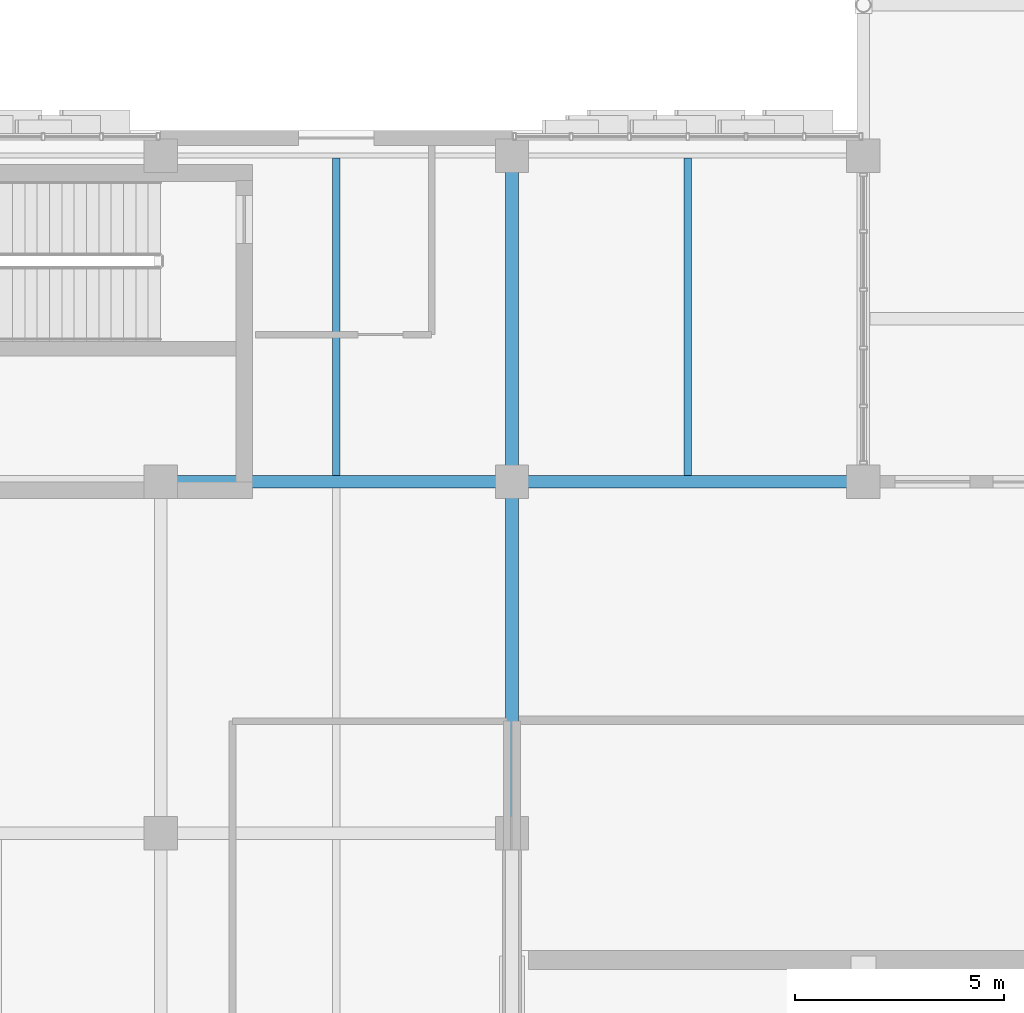
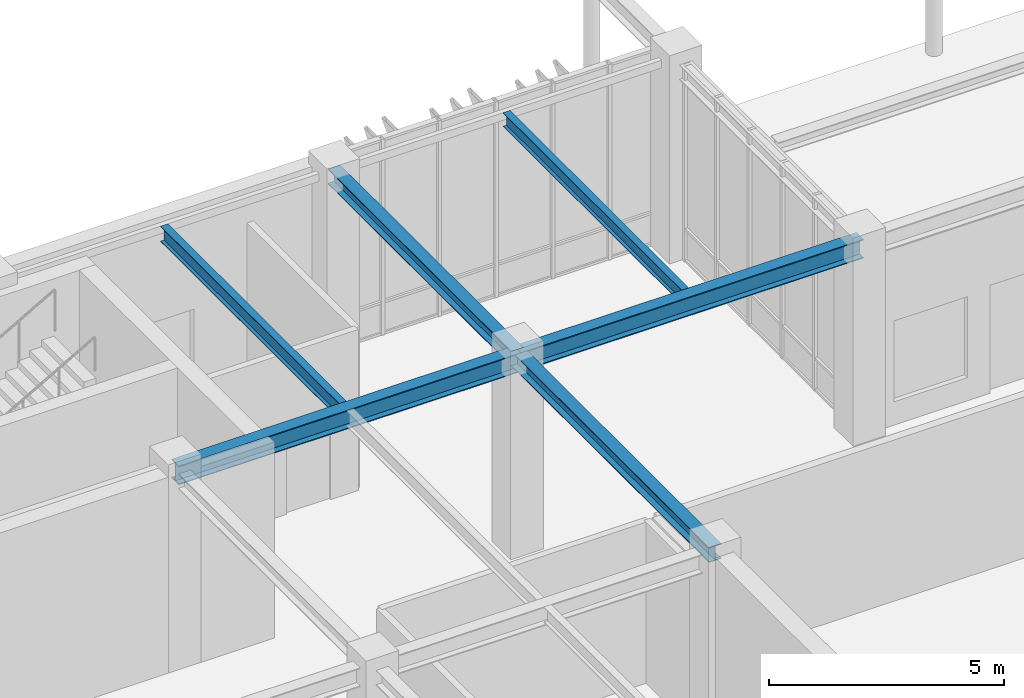
# One storey, part 42 of 122: 6 beams.
"""IFC4 building model written with IfcOpenShell, lengths in metres."""

import ifcopenshell
import ifcopenshell.guid

model = None  # the IFC model being written
_history = None  # IfcOwnerHistory: only IFC2X3 demands one
_inside = {}  # id of a spatial element -> (the spatial element, [elements in it])
_under = {}  # id of a project, library or spatial element -> (it, [spatial elements below it])
_declared = {}  # id of a project -> (the project, [libraries it declares])
_typed = {}  # id of a type object -> (the type object, [elements of that type])
_made_of = {}  # id of a material, layer set ... -> (it, [elements and type objects made of it])


def new_model(schema):
    """Start an empty IFC model of exactly this schema.

    Asked for "IFC4X3", IfcOpenShell would pick the latest addendum, in which some entities
    have other attributes; the version numbers below select the first issue.
    IFC2X3 requires an IfcOwnerHistory on every rooted entity: one is made here for all.
    """
    global model, _history
    if schema == "IFC4X3":
        model = ifcopenshell.file(schema_version=(4, 3, 0, 0))
    else:
        model = ifcopenshell.file(schema=schema)
    _inside.clear()
    _under.clear()
    _declared.clear()
    _typed.clear()
    _made_of.clear()
    _history = None
    if model.schema == "IFC2X3":
        org = make("IfcOrganization", Name="unknown")
        user = make(
            "IfcPersonAndOrganization",
            ThePerson=make("IfcPerson", FamilyName="unknown"),
            TheOrganization=org,
        )
        app = make(
            "IfcApplication",
            ApplicationDeveloper=org,
            Version="unknown",
            ApplicationFullName="unknown",
            ApplicationIdentifier="unknown",
        )
        _history = make(
            "IfcOwnerHistory",
            OwningUser=user,
            OwningApplication=app,
            ChangeAction="ADDED",
            CreationDate=0,
        )
    return model


def make(cls, **values):
    """One entity of the class cls with the attributes given. An attribute that is None is left unset."""
    return model.create_entity(
        cls, **{name: value for name, value in values.items() if value is not None}
    )


def rooted(cls, **values):
    """An entity with a GlobalId (a new one), such as an element, a storey or a relation."""
    return make(cls, GlobalId=ifcopenshell.guid.new(), OwnerHistory=_history, **values)


def si_unit(unit_type, name, prefix=None):
    """IfcSIUnit, for example si_unit("LENGTHUNIT", "METRE", prefix="MILLI")."""
    return make("IfcSIUnit", UnitType=unit_type, Prefix=prefix, Name=name)


def assignment(units):
    """IfcUnitAssignment: the units of a project."""
    return None if units is None else make("IfcUnitAssignment", Units=units)


def point(xyz):
    """IfcCartesianPoint."""
    return None if xyz is None else make("IfcCartesianPoint", Coordinates=xyz)


def direction(xyz):
    """IfcDirection."""
    return None if xyz is None else make("IfcDirection", DirectionRatios=xyz)


def frame(location, z_axis=None, x_axis=None):
    """IfcAxis2Placement3D, a coordinate frame: its origin and axes. An axis left out is left unset."""
    return make(
        "IfcAxis2Placement3D",
        Location=point(location),
        Axis=direction(z_axis),
        RefDirection=direction(x_axis),
    )


def frame_2d(location, x_axis=None):
    """IfcAxis2Placement2D, a coordinate frame in the plane: its origin and x axis."""
    return make(
        "IfcAxis2Placement2D", Location=point(location), RefDirection=direction(x_axis)
    )


def origin():
    """The frame at (0, 0, 0) with its axes left unset."""
    return frame((0.0, 0.0, 0.0))


def origin_2d():
    """The frame at (0, 0) in the plane with its x axis left unset."""
    return frame_2d((0.0, 0.0))


def place(relative_to, where):
    """IfcLocalPlacement: puts the frame where relative to a parent placement (None: the world)."""
    return make(
        "IfcLocalPlacement", PlacementRelTo=relative_to, RelativePlacement=where
    )


def context(
    kind, dimensions, precision=None, world=None, true_north=None, identifier=None
):
    """IfcGeometricRepresentationContext, for example the 3D "Model" context."""
    return make(
        "IfcGeometricRepresentationContext",
        ContextIdentifier=identifier,
        ContextType=kind,
        CoordinateSpaceDimension=dimensions,
        Precision=precision,
        WorldCoordinateSystem=world,
        TrueNorth=true_north,
    )


def subcontext(parent, identifier, kind, view, scale=None):
    """IfcGeometricRepresentationSubContext, for example "Body" below "Model"."""
    return make(
        "IfcGeometricRepresentationSubContext",
        ContextIdentifier=identifier,
        ContextType=kind,
        ParentContext=parent,
        TargetScale=scale,
        TargetView=view,
    )


def project(units=None, contexts=None):
    """IfcProject with its units and contexts."""
    return rooted(
        "IfcProject",
        Name="project",
        RepresentationContexts=contexts,
        UnitsInContext=assignment(units),
    )


def spatial(cls, under=None, at=None, **own):
    """A site, building, storey or space (cls), placed at a placement, below another one or the project."""
    s = rooted(cls, ObjectPlacement=at, **own)
    if under is not None:
        _under.setdefault(under.id(), (under, []))[1].append(s)
    return s


def profile(cls, at=None, kind="AREA", **sizes):
    """A parametric profile (cls). Its sizes go by their IFC names, for example OverallWidth=200.0."""
    return make(cls, ProfileType=kind, Position=at, **sizes)


def i_section(**sizes):
    """IfcIShapeProfileDef."""
    return profile("IfcIShapeProfileDef", **sizes)


def extrude(swept, where, along, depth):
    """IfcExtrudedAreaSolid: the profile swept, set in the frame where, extruded along a direction by depth."""
    return make(
        "IfcExtrudedAreaSolid",
        SweptArea=swept,
        Position=where,
        ExtrudedDirection=direction(along),
        Depth=depth,
    )


def shape(context_of_items, identifier, shape_type, items):
    """IfcShapeRepresentation: the items that make up one representation, for example the "Body"."""
    return make(
        "IfcShapeRepresentation",
        ContextOfItems=context_of_items,
        RepresentationIdentifier=identifier,
        RepresentationType=shape_type,
        Items=items,
    )


def material(Name=None, Category=None):
    """IfcMaterial."""
    return make("IfcMaterial", Name=Name, Category=Category)


def material_profile(
    of_material, cross_section, Name=None, Category=None, Priority=None
):
    """IfcMaterialProfile: a cross section and its material."""
    return make(
        "IfcMaterialProfile",
        Name=Name,
        Material=of_material,
        Profile=cross_section,
        Priority=Priority,
        Category=Category,
    )


def profile_set(profiles, Name=None, composite=None):
    """IfcMaterialProfileSet."""
    return make(
        "IfcMaterialProfileSet",
        Name=Name,
        MaterialProfiles=profiles,
        CompositeProfile=composite,
    )


def made_of(thing, what):
    """Note that an element or type object is made of a material, layer set ...; save() writes the relation."""
    if what is not None:
        _made_of.setdefault(what.id(), (what, []))[1].append(thing)
    return thing


def type_object(cls, material=None, **own):
    """A type object (cls), such as IfcWallType, which elements share."""
    return made_of(rooted(cls, **own), material)


def element(
    cls,
    number,
    at=None,
    inside=None,
    cuts=None,
    type_object=None,
    material=None,
    context=None,
    identifier="Body",
    shape_type=None,
    held_by="IfcProductDefinitionShape",
    body=None,
    shapes=None,
    **own,
):
    """One element of the class cls, such as IfcWall. Its Tag is "e" and its number.

    at: its placement. inside: the storey or other place that contains it. cuts: it is an
    opening in that element (IfcRelVoidsElement). A single representation is given by context,
    identifier, shape_type and body (its items); several are given by shapes. held_by: the class
    of the entity that holds the representations. save() writes the other relations.
    """
    e = rooted(cls, Tag="e%d" % number, ObjectPlacement=at, **own)
    if body is not None:
        shapes = [shape(context, identifier, shape_type, body)]
    if shapes is not None:
        e.Representation = make(held_by, Representations=shapes)
    if inside is not None:
        _inside.setdefault(inside.id(), (inside, []))[1].append(e)
    if cuts is not None:
        rooted(
            "IfcRelVoidsElement", RelatingBuildingElement=cuts, RelatedOpeningElement=e
        )
    if type_object is not None:
        _typed.setdefault(type_object.id(), (type_object, []))[1].append(e)
    return made_of(e, material)


def aggregate(whole, parts):
    """IfcRelAggregates: a whole, such as a stair, and the parts it consists of."""
    return rooted("IfcRelAggregates", RelatingObject=whole, RelatedObjects=parts)


def save(model, path):
    """Write the relations noted so far, then the file.

    IfcRelAggregates (storeys below a building ...), IfcRelContainedInSpatialStructure (elements
    in a storey), IfcRelDefinesByType, IfcRelAssociatesMaterial and IfcRelDeclares: one each for
    every whole, place, type object, material and project.
    """
    for whole, parts in _under.values():
        aggregate(whole, parts)
    for where, things in _inside.values():
        rooted(
            "IfcRelContainedInSpatialStructure",
            RelatedElements=things,
            RelatingStructure=where,
        )
    for kind, things in _typed.values():
        rooted("IfcRelDefinesByType", RelatedObjects=things, RelatingType=kind)
    for what, things in _made_of.values():
        rooted("IfcRelAssociatesMaterial", RelatedObjects=things, RelatingMaterial=what)
    for by, libraries in _declared.values():
        rooted("IfcRelDeclares", RelatingContext=by, RelatedDefinitions=libraries)
    model.write(path)


model = new_model("IFC4")

# Units and contexts
model_context = context("Model", 3, precision=1e-05, world=origin(), true_north=direction((0.0, 1.0)))
body_context = subcontext(model_context, "Body", "Model", "MODEL_VIEW")
ifc_project = project(units=[si_unit("LENGTHUNIT", "METRE"), si_unit("AREAUNIT", "SQUARE_METRE"), si_unit("VOLUMEUNIT", "CUBIC_METRE"), si_unit("PLANEANGLEUNIT", "RADIAN"), si_unit("MASSUNIT", "GRAM", prefix="KILO")], contexts=[model_context])

# Site, building, storey
site_placement = place(None, origin())
site = spatial("IfcSite", under=ifc_project, at=site_placement, CompositionType="ELEMENT")
building_placement = place(site_placement, origin())
building = spatial("IfcBuilding", under=site, at=building_placement, Name="Zayran Congress Hotel", CompositionType="ELEMENT")
storey_placement = place(building_placement, origin())
storey = spatial("IfcBuildingStorey", under=building, at=storey_placement, Name="L00", CompositionType="ELEMENT", Elevation=0.0)

# Beams
ifc_material = material(Name="Steel S355", Category="steel")
ifc_material_profile_1 = material_profile(ifc_material, i_section(OverallWidth=0.300048828125, OverallDepth=0.489990234375, WebThickness=0.011962890625, FlangeThickness=0.02294921875, at=origin_2d()), Name="HEA 500")
ifc_profile_set_1 = profile_set([ifc_material_profile_1], Name="Steel S355")
beam_type_1 = type_object("IfcBeamType", Name="TP-BM-05", PredefinedType="BEAM", material=ifc_profile_set_1)
beam_1_placement = place(storey_placement, frame((16.800048828125, 109.60009765625, 4.8349609375), z_axis=(1.0, 0.0, 0.0), x_axis=(0.0, 1.0, 0.0)))
element("IfcBeam", 1, at=beam_1_placement, inside=storey, type_object=beam_type_1, Name="BM-V1-L00-0426", PredefinedType="BEAM", context=body_context, shape_type="SweptSolid", body=[
    extrude(i_section(OverallWidth=0.300048828125, OverallDepth=0.489990234375, WebThickness=0.011962890625, FlangeThickness=0.02294921875, at=origin_2d()), origin(), (0.0, 0.0, 1.0), 8.39990234375),
])
beam_2_placement = place(storey_placement, frame((25.199951171875, 109.60009765625, 4.8349609375), z_axis=(1.0, 0.0, 0.0), x_axis=(0.0, 1.0, 0.0)))
element("IfcBeam", 2, at=beam_2_placement, inside=storey, type_object=beam_type_1, Name="BM-V1-L00-0427", PredefinedType="BEAM", context=body_context, shape_type="SweptSolid", body=[
    extrude(i_section(OverallWidth=0.300048828125, OverallDepth=0.489990234375, WebThickness=0.011962890625, FlangeThickness=0.02294921875, at=origin_2d()), origin(), (0.0, 0.0, 1.0), 8.400146484375),
])
ifc_material_profile_2 = material_profile(ifc_material, i_section(OverallWidth=0.300048828125, OverallDepth=0.389892578125, WebThickness=0.010986328125, FlangeThickness=0.01904296875, at=origin_2d()), Name="HEA 400")
ifc_profile_set_2 = profile_set([ifc_material_profile_2], Name="Steel S355")
beam_type_2 = type_object("IfcBeamType", Name="TP-BM-06", PredefinedType="BEAM", material=ifc_profile_set_2)
beam_3_placement = place(storey_placement, frame((25.199951171875, 101.199951171875, 4.885009765625), z_axis=(0.0, 1.0, 0.0), x_axis=(-1.0, 0.0, 0.0)))
element("IfcBeam", 3, at=beam_3_placement, inside=storey, type_object=beam_type_2, Name="BM-V1-L00-0459", PredefinedType="BEAM", context=body_context, shape_type="SweptSolid", body=[
    extrude(i_section(OverallWidth=0.300048828125, OverallDepth=0.389892578125, WebThickness=0.010986328125, FlangeThickness=0.01904296875, at=origin_2d()), origin(), (0.0, 0.0, 1.0), 8.400146484375),
])
beam_4_placement = place(storey_placement, frame((25.199951171875, 109.60009765625, 4.885009765625), z_axis=(0.0, 1.0, 0.0), x_axis=(-1.0, 0.0, 0.0)))
element("IfcBeam", 4, at=beam_4_placement, inside=storey, type_object=beam_type_2, Name="BM-V1-L00-0460", PredefinedType="BEAM", context=body_context, shape_type="SweptSolid", body=[
    extrude(i_section(OverallWidth=0.300048828125, OverallDepth=0.389892578125, WebThickness=0.010986328125, FlangeThickness=0.01904296875, at=origin_2d()), origin(), (0.0, 0.0, 1.0), 7.7998046875),
])
ifc_material_profile_3 = material_profile(ifc_material, i_section(OverallWidth=0.179931640625, OverallDepth=0.39990234375, WebThickness=0.008544921875, FlangeThickness=0.013427734375, at=origin_2d()), Name="IPE 400")
ifc_profile_set_3 = profile_set([ifc_material_profile_3], Name="Steel S355")
beam_type_3 = type_object("IfcBeamType", Name="TP-JS-03", PredefinedType="JOIST", material=ifc_profile_set_3)
beam_5_placement = place(storey_placement, frame((21.0, 109.75, 4.8798828125), z_axis=(0.0, 1.0, 0.0), x_axis=(-1.0, 0.0, 0.0)))
element("IfcBeam", 5, at=beam_5_placement, inside=storey, type_object=beam_type_3, Name="JST-V1-L00-0496", PredefinedType="JOIST", context=body_context, shape_type="SweptSolid", body=[
    extrude(i_section(OverallWidth=0.179931640625, OverallDepth=0.39990234375, WebThickness=0.008544921875, FlangeThickness=0.013427734375, at=origin_2d()), origin(), (0.0, 0.0, 1.0), 7.590087890625),
])
ifc_material_profile_4 = material_profile(ifc_material, i_section(OverallWidth=0.169921875, OverallDepth=0.360107421875, WebThickness=0.008056640625, FlangeThickness=0.0126953125, at=origin_2d()), Name="IPE 360")
ifc_profile_set_4 = profile_set([ifc_material_profile_4], Name="Steel S355")
beam_type_4 = type_object("IfcBeamType", Name="TP-JS-04", PredefinedType="JOIST", material=ifc_profile_set_4)
beam_6_placement = place(storey_placement, frame((29.39990234375, 109.75, 4.89990234375), z_axis=(0.0, 1.0, 0.0), x_axis=(-1.0, 0.0, 0.0)))
element("IfcBeam", 6, at=beam_6_placement, inside=storey, type_object=beam_type_4, Name="JST-V1-L00-0498", PredefinedType="JOIST", context=body_context, shape_type="SweptSolid", body=[
    extrude(i_section(OverallWidth=0.169921875, OverallDepth=0.360107421875, WebThickness=0.008056640625, FlangeThickness=0.0126953125, at=origin_2d()), origin(), (0.0, 0.0, 1.0), 7.590087890625),
])

save(model, "model.ifc")
